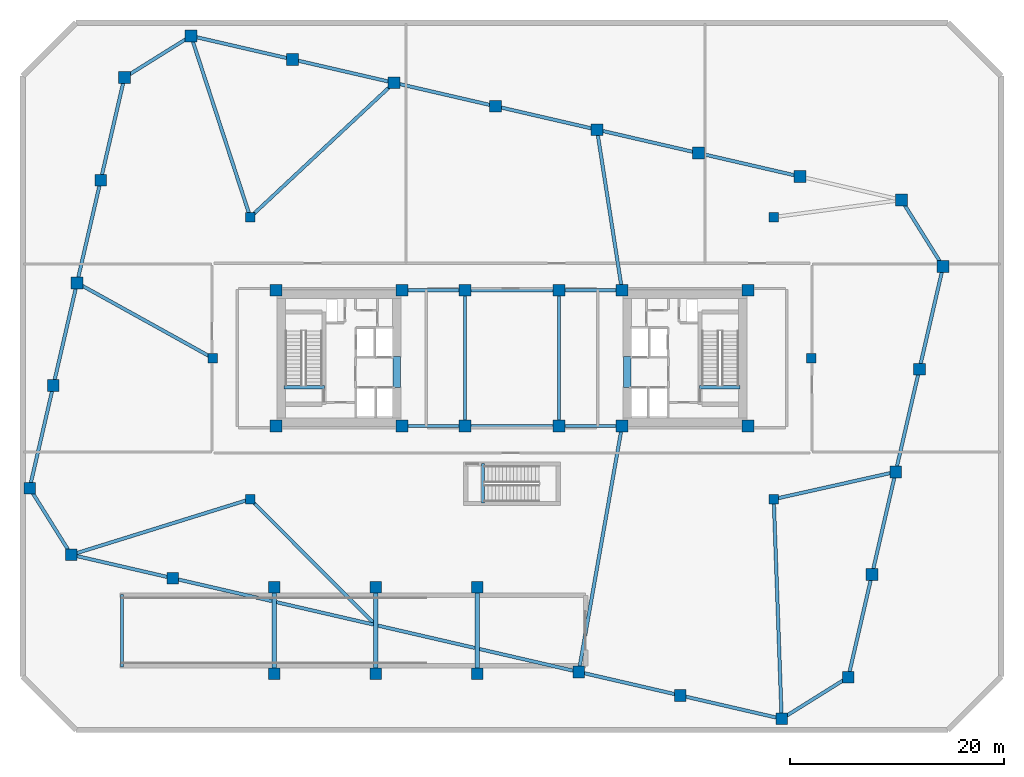
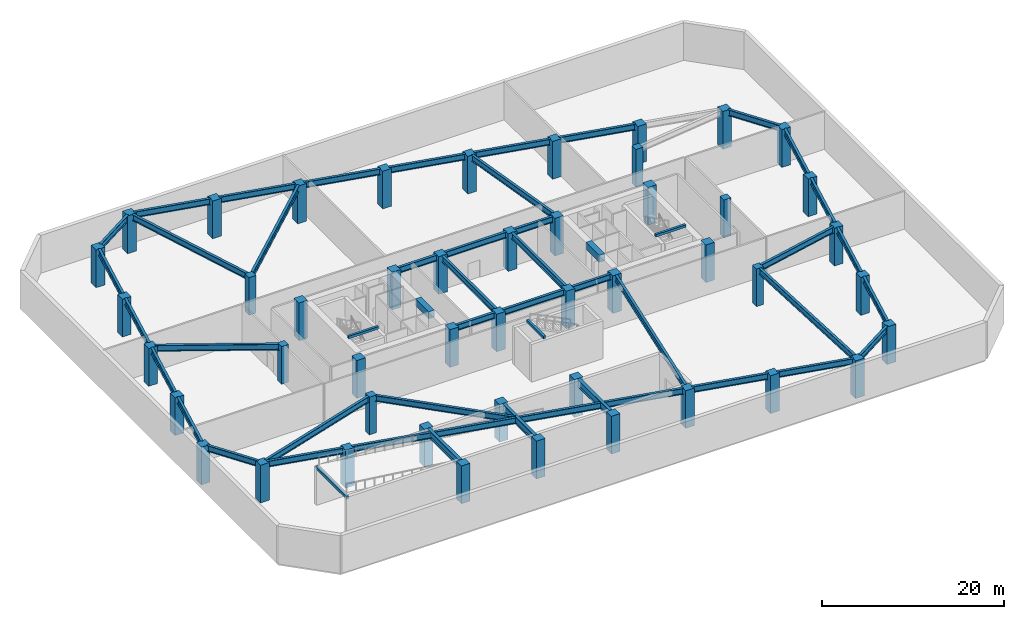
# One storey, part 1 of 11: 51 beams, 47 columns.
"""IFC4 building model written with IfcOpenShell, lengths in metres."""

from ifc_helpers import new_model, si_unit, direction, frame, origin, origin_2d, place, context, subcontext, project, spatial, rectangle, i_section, extrude, material, material_profile, profile_set, type_object, element, save


model = new_model("IFC4")

# Units and contexts
model_context = context("Model", 3, precision=1e-05, world=origin(), true_north=direction((0.0, 1.0)))
body_context = subcontext(model_context, "Body", "Model", "MODEL_VIEW")
ifc_project = project(units=[si_unit("LENGTHUNIT", "METRE"), si_unit("AREAUNIT", "SQUARE_METRE"), si_unit("VOLUMEUNIT", "CUBIC_METRE"), si_unit("PLANEANGLEUNIT", "RADIAN"), si_unit("MASSUNIT", "GRAM", prefix="KILO")], contexts=[model_context])

# Site, building, storey
site_placement = place(None, origin())
site = spatial("IfcSite", under=ifc_project, at=site_placement, CompositionType="ELEMENT")
building_placement = place(site_placement, origin())
building = spatial("IfcBuilding", under=site, at=building_placement, Name="Tavrogorsk Clinical Tower", CompositionType="ELEMENT")
storey_placement = place(building_placement, frame((0.0, 0.0, -5.39990234375)))
storey = spatial("IfcBuildingStorey", under=building, at=storey_placement, Name="B1", CompositionType="ELEMENT", Elevation=-5.39990234375)

# Columns
ifc_material_1 = material(Name="Concrete B80", Category="concrete")
ifc_material_profile_1 = material_profile(ifc_material_1, rectangle(XDim=1.10009765625, YDim=1.10009765625, at=origin_2d()), Name="RC-COL-1100x1100")
ifc_profile_set_1 = profile_set([ifc_material_profile_1], Name="Concrete B80")
column_type_1 = type_object("IfcColumnType", Name="BasementCol_RC1100", PredefinedType="COLUMN", material=ifc_profile_set_1)
for number, where, z_axis, x_axis, name in (
    (1, (-22.10009765625, -6.35009765625, 0.0), (0.0, 0.0, 1.0), (1.0, 0.0, 0.0), "B1 Mega Column MC-W1"),
    (2, (-22.10009765625, 6.35009765625, 0.0), (0.0, 0.0, 1.0), (1.0, 0.0, 0.0), "B1 Mega Column MC-W2"),
    (3, (-10.300048828125, -6.35009765625, 0.0), (0.0, 0.0, 1.0), (1.0, 0.0, 0.0), "B1 Mega Column MC-W3"),
    (4, (-10.300048828125, 6.35009765625, 0.0), (0.0, 0.0, 1.0), (1.0, 0.0, 0.0), "B1 Mega Column MC-W4"),
    (5, (10.300048828125, -6.35009765625, 0.0), (0.0, 0.0, 1.0), (1.0, 0.0, 0.0), "B1 Mega Column MC-E1"),
    (6, (10.300048828125, 6.35009765625, 0.0), (0.0, 0.0, 1.0), (1.0, 0.0, 0.0), "B1 Mega Column MC-E2"),
    (7, (22.10009765625, -6.35009765625, 0.0), (0.0, 0.0, 1.0), (1.0, 0.0, 0.0), "B1 Mega Column MC-E3"),
    (8, (22.10009765625, 6.35009765625, 0.0), (0.0, 0.0, 1.0), (1.0, 0.0, 0.0), "B1 Mega Column MC-E4"),
    (9, (-4.39990234375, -6.35009765625, 0.0), (0.0, 0.0, 1.0), (1.0, 0.0, 0.0), "B1 Mega Column MC-C1"),
    (10, (4.39990234375, -6.35009765625, 0.0), (0.0, 0.0, 1.0), (1.0, 0.0, 0.0), "B1 Mega Column MC-C2"),
    (11, (-4.39990234375, 6.35009765625, 0.0), (0.0, 0.0, 1.0), (1.0, 0.0, 0.0), "B1 Mega Column MC-C3"),
    (12, (4.39990234375, 6.35009765625, 0.0), (0.0, 0.0, 1.0), (1.0, 0.0, 0.0), "B1 Mega Column MC-C4"),
    (13, (-41.251220703125, -18.406005859375, 0.0), (0.0, 0.0, 1.0), (1.0, 0.0, 0.0), "B1 Open Pilotis Stilt S1"),
    (14, (-31.75244140625, -20.598876953125, 0.0), (0.0, 0.0, 1.0), (1.0, 0.0, 0.0), "B1 Open Pilotis Stilt S2"),
    (15, (-22.25390625, -29.550048828125, 0.0), (0.0, 0.0, 1.0), (1.0, 0.0, 0.0), "B1 Ramp Portal Stilt S3-S"),
    (16, (-22.25390625, -21.449951171875, 0.0), (0.0, 0.0, 1.0), (1.0, 0.0, 0.0), "B1 Ramp Portal Stilt S3-N"),
    (17, (-12.755126953125, -29.550048828125, 0.0), (0.0, 0.0, 1.0), (1.0, 0.0, 0.0), "B1 Ramp Portal Stilt S4-S"),
    (18, (-12.755126953125, -21.449951171875, 0.0), (0.0, 0.0, 1.0), (1.0, 0.0, 0.0), "B1 Ramp Portal Stilt S4-N"),
    (19, (-3.25634765625, -29.550048828125, 0.0), (0.0, 0.0, 1.0), (1.0, 0.0, 0.0), "B1 Ramp Portal Stilt S5-S"),
    (20, (-3.25634765625, -21.449951171875, 0.0), (0.0, 0.0, 1.0), (1.0, 0.0, 0.0), "B1 Ramp Portal Stilt S5-N"),
    (21, (6.2421875, -29.37060546875, 0.0), (0.0, 0.0, 1.0), (1.0, 0.0, 0.0), "B1 Open Pilotis Stilt S6"),
    (22, (15.740966796875, -31.563720703125, 0.0), (0.0, 0.0, 1.0), (1.0, 0.0, 0.0), "B1 Open Pilotis Stilt S7"),
    (23, (25.23974609375, -33.756591796875, 0.0), (0.0, 0.0, 1.0), (1.0, 0.0, 0.0), "B1 Open Pilotis Stilt S8"),
    (24, (36.451416015625, 14.805908203125, 0.0), (0.0, 0.0, 1.0), (1.0, 0.0, 0.0), "B1 Open Pilotis Stilt N1"),
    (25, (26.952392578125, 16.998779296875, 0.0), (0.0, 0.0, 1.0), (1.0, 0.0, 0.0), "B1 Open Pilotis Stilt N2"),
    (26, (17.453857421875, 19.19189453125, 0.0), (0.0, 0.0, 1.0), (1.0, 0.0, 0.0), "B1 Open Pilotis Stilt N3"),
    (27, (7.955078125, 21.384765625, 0.0), (0.0, 0.0, 1.0), (1.0, 0.0, 0.0), "B1 Open Pilotis Stilt N4"),
    (28, (-1.543701171875, 23.577880859375, 0.0), (0.0, 0.0, 1.0), (1.0, 0.0, 0.0), "B1 Open Pilotis Stilt N5"),
    (29, (-11.042236328125, 25.770751953125, 0.0), (0.0, 0.0, 1.0), (1.0, 0.0, 0.0), "B1 Open Pilotis Stilt N6"),
    (30, (-20.541015625, 27.963623046875, 0.0), (0.0, 0.0, 1.0), (1.0, 0.0, 0.0), "B1 Open Pilotis Stilt N7"),
    (31, (-30.039794921875, 30.156494140625, 0.0), (0.0, 0.0, 1.0), (1.0, 0.0, 0.0), "B1 Open Pilotis Stilt N8"),
    (32, (31.476318359375, -29.859619140625, 0.0), (0.0, 0.0, 1.0), (1.0, 0.0, 0.0), "B1 Open Pilotis Stilt E1"),
    (33, (33.694091796875, -20.25244140625, 0.0), (0.0, 0.0, 1.0), (1.0, 0.0, 0.0), "B1 Open Pilotis Stilt E2"),
    (34, (35.912109375, -10.64501953125, 0.0), (0.0, 0.0, 1.0), (1.0, 0.0, 0.0), "B1 Open Pilotis Stilt E3"),
    (35, (38.130126953125, -1.037841796875, 0.0), (0.0, 0.0, 1.0), (1.0, 0.0, 0.0), "B1 Open Pilotis Stilt E4"),
    (36, (40.348388671875, 8.569580078125, 0.0), (0.0, 0.0, 1.0), (1.0, 0.0, 0.0), "B1 Open Pilotis Stilt E5"),
    (37, (-36.276123046875, 26.259765625, 0.0), (0.0, 0.0, 1.0), (1.0, 0.0, 0.0), "B1 Open Pilotis Stilt W1"),
    (38, (-38.494140625, 16.65234375, 0.0), (0.0, 0.0, 1.0), (1.0, 0.0, 0.0), "B1 Open Pilotis Stilt W2"),
    (39, (-40.712158203125, 7.045166015625, 0.0), (0.0, 0.0, 1.0), (1.0, 0.0, 0.0), "B1 Open Pilotis Stilt W3"),
    (40, (-42.93017578125, -2.562255859375, 0.0), (0.0, 0.0, 1.0), (1.0, 0.0, 0.0), "B1 Open Pilotis Stilt W4"),
    (41, (-45.148193359375, -12.16943359375, 0.0), (0.0, 0.0, 1.0), (1.0, 0.0, 0.0), "B1 Open Pilotis Stilt W5"),
):
    element("IfcColumn", number, at=place(storey_placement, frame(where, z_axis=z_axis, x_axis=x_axis)), inside=storey, type_object=column_type_1, Name=name, PredefinedType="COLUMN", context=body_context, shape_type="SweptSolid", body=[
        extrude(rectangle(XDim=1.10009765625, YDim=1.10009765625, at=origin_2d()), origin(), (0.0, 0.0, 1.0), 5.0498046875),
    ])
ifc_material_2 = material(Name="Concrete B80", Category="concrete")
ifc_material_profile_2 = material_profile(ifc_material_2, rectangle(XDim=0.89990234375, YDim=0.89990234375, at=origin_2d()), Name="RC-COL-900x900")
ifc_profile_set_2 = profile_set([ifc_material_profile_2], Name="Concrete B80")
column_type_2 = type_object("IfcColumnType", Name="BasementCol_RC900", PredefinedType="COLUMN", material=ifc_profile_set_2)
for number, where, z_axis, x_axis, name in (
    (42, (-24.5, -13.199951171875, 0.0), (0.0, 0.0, 1.0), (1.0, 0.0, 0.0), "B1 Spine Pilotis Column MC-P1"),
    (43, (24.5, -13.199951171875, 0.0), (0.0, 0.0, 1.0), (1.0, 0.0, 0.0), "B1 Spine Pilotis Column MC-P2"),
    (44, (-24.5, 13.199951171875, 0.0), (0.0, 0.0, 1.0), (1.0, 0.0, 0.0), "B1 Spine Pilotis Column MC-P3"),
    (45, (24.5, 13.199951171875, 0.0), (0.0, 0.0, 1.0), (1.0, 0.0, 0.0), "B1 Spine Pilotis Column MC-P4"),
    (46, (-28.0, 0.0, 0.0), (0.0, 0.0, 1.0), (1.0, 0.0, 0.0), "B1 Spine Pilotis Column MC-P5"),
    (47, (28.0, 0.0, 0.0), (0.0, 0.0, 1.0), (1.0, 0.0, 0.0), "B1 Spine Pilotis Column MC-P6"),
):
    element("IfcColumn", number, at=place(storey_placement, frame(where, z_axis=z_axis, x_axis=x_axis)), inside=storey, type_object=column_type_2, Name=name, PredefinedType="COLUMN", context=body_context, shape_type="SweptSolid", body=[
        extrude(rectangle(XDim=0.89990234375, YDim=0.89990234375, at=origin_2d()), origin(), (0.0, 0.0, 1.0), 5.0498046875),
    ])

# Beams
ifc_material_3 = material(Name="Concrete B80", Category="concrete")
ifc_material_profile_3 = material_profile(ifc_material_3, rectangle(XDim=0.699951171875, YDim=0.949951171875, at=origin_2d()), Name="RC-CB-700x950")
ifc_profile_set_3 = profile_set([ifc_material_profile_3], Name="Concrete B80")
beam_type_1 = type_object("IfcBeamType", Name="CouplingBeam_RC700x950", PredefinedType="LINTEL", material=ifc_profile_set_3)
for number, where, z_axis, x_axis, name in (
    (48, (-10.800048828125, -2.75, 4.574951171875), (0.0, 1.0, 0.0), (-1.0, 0.0, 0.0), "B1 Core West Coupling Beam"),
    (49, (10.800048828125, -2.75, 4.574951171875), (0.0, 1.0, 0.0), (-1.0, 0.0, 0.0), "B1 Core East Coupling Beam"),
):
    element("IfcBeam", number, at=place(storey_placement, frame(where, z_axis=z_axis, x_axis=x_axis)), inside=storey, type_object=beam_type_1, Name=name, PredefinedType="LINTEL", context=body_context, shape_type="SweptSolid", body=[
        extrude(rectangle(XDim=0.699951171875, YDim=0.949951171875, at=origin_2d()), origin(), (0.0, 0.0, 1.0), 2.89990234375),
    ])
ifc_material_4 = material(Name="Structural steel S390", Category="steel")
ifc_material_profile_4 = material_profile(ifc_material_4, i_section(OverallWidth=0.320068359375, OverallDepth=0.800048828125, WebThickness=0.02001953125, FlangeThickness=0.033935546875, at=origin_2d()), Name="B-800x320x20x34")
ifc_profile_set_4 = profile_set([ifc_material_profile_4], Name="Structural steel S390")
beam_type_2 = type_object("IfcBeamType", Name="PrimaryGirder_B800", PredefinedType="USERDEFINED", material=ifc_profile_set_4)
for number, where, z_axis, x_axis, name in (
    (50, (-9.800048828125, -6.35009765625, 4.64990234375), (1.0, 0.0, 0.0), (0.0, 1.0, 0.0), "B1 Primary Spine Girder MG-01"),
    (51, (-9.800048828125, 6.35009765625, 4.64990234375), (1.0, 0.0, 0.0), (0.0, 1.0, 0.0), "B1 Primary Spine Girder MG-02"),
):
    element("IfcBeam", number, at=place(storey_placement, frame(where, z_axis=z_axis, x_axis=x_axis)), inside=storey, type_object=beam_type_2, Name=name, ObjectType="GIRDER", PredefinedType="USERDEFINED", context=body_context, shape_type="SweptSolid", body=[
        extrude(i_section(OverallWidth=0.320068359375, OverallDepth=0.800048828125, WebThickness=0.02001953125, FlangeThickness=0.033935546875, at=origin_2d()), origin(), (0.0, 0.0, 1.0), 4.900146484375),
    ])
for number, where, z_axis, x_axis, name in (
    (52, (-3.89990234375, -6.35009765625, 4.64990234375), (1.0, 0.0, 0.0), (0.0, 1.0, 0.0), "B1 Primary Spine Girder MG-03"),
    (53, (-3.89990234375, 6.35009765625, 4.64990234375), (1.0, 0.0, 0.0), (0.0, 1.0, 0.0), "B1 Primary Spine Girder MG-04"),
):
    element("IfcBeam", number, at=place(storey_placement, frame(where, z_axis=z_axis, x_axis=x_axis)), inside=storey, type_object=beam_type_2, Name=name, ObjectType="GIRDER", PredefinedType="USERDEFINED", context=body_context, shape_type="SweptSolid", body=[
        extrude(i_section(OverallWidth=0.320068359375, OverallDepth=0.800048828125, WebThickness=0.02001953125, FlangeThickness=0.033935546875, at=origin_2d()), origin(), (0.0, 0.0, 1.0), 7.7998046875),
    ])
for number, where, z_axis, x_axis, name in (
    (54, (4.89990234375, -6.35009765625, 4.64990234375), (1.0, 0.0, 0.0), (0.0, 1.0, 0.0), "B1 Primary Spine Girder MG-05"),
    (55, (4.89990234375, 6.35009765625, 4.64990234375), (1.0, 0.0, 0.0), (0.0, 1.0, 0.0), "B1 Primary Spine Girder MG-06"),
):
    element("IfcBeam", number, at=place(storey_placement, frame(where, z_axis=z_axis, x_axis=x_axis)), inside=storey, type_object=beam_type_2, Name=name, ObjectType="GIRDER", PredefinedType="USERDEFINED", context=body_context, shape_type="SweptSolid", body=[
        extrude(i_section(OverallWidth=0.320068359375, OverallDepth=0.800048828125, WebThickness=0.02001953125, FlangeThickness=0.033935546875, at=origin_2d()), origin(), (0.0, 0.0, 1.0), 4.900146484375),
    ])
for number, where, z_axis, x_axis, name in (
    (56, (-4.39990234375, -5.85009765625, 4.64990234375), (0.0, 1.0, 0.0), (-1.0, 0.0, 0.0), "B1 Primary Spine Girder MG-07"),
    (57, (4.39990234375, -5.85009765625, 4.64990234375), (0.0, 1.0, 0.0), (-1.0, 0.0, 0.0), "B1 Primary Spine Girder MG-08"),
):
    element("IfcBeam", number, at=place(storey_placement, frame(where, z_axis=z_axis, x_axis=x_axis)), inside=storey, type_object=beam_type_2, Name=name, ObjectType="GIRDER", PredefinedType="USERDEFINED", context=body_context, shape_type="SweptSolid", body=[
        extrude(i_section(OverallWidth=0.320068359375, OverallDepth=0.800048828125, WebThickness=0.02001953125, FlangeThickness=0.033935546875, at=origin_2d()), origin(), (0.0, 0.0, 1.0), 11.7001953125),
    ])
beam_1_placement = place(storey_placement, frame((-40.78369140625, -18.513916015625, 4.64990234375), z_axis=(0.974369654842, -0.224952829995, 0.0), x_axis=(0.224952829995, 0.974369654842, 0.0)))
element("IfcBeam", 58, at=beam_1_placement, inside=storey, type_object=beam_type_2, Name="B1 Perimeter Stilt Ring Girder S1-S2", ObjectType="GIRDER", PredefinedType="USERDEFINED", context=body_context, shape_type="SweptSolid", body=[
    extrude(i_section(OverallWidth=0.320068359375, OverallDepth=0.800048828125, WebThickness=0.02001953125, FlangeThickness=0.033935546875, at=origin_2d()), origin(), (0.0, 0.0, 1.0), 8.788818359375),
])
beam_2_placement = place(storey_placement, frame((-31.284912109375, -20.706787109375, 4.64990234375), z_axis=(0.974367570146, -0.224961859542, 0.0), x_axis=(0.224961859542, 0.974367570146, 0.0)))
element("IfcBeam", 59, at=beam_2_placement, inside=storey, type_object=beam_type_2, Name="B1 Perimeter Stilt Ring Girder S2-S3", ObjectType="GIRDER", PredefinedType="USERDEFINED", context=body_context, shape_type="SweptSolid", body=[
    extrude(i_section(OverallWidth=0.320068359375, OverallDepth=0.800048828125, WebThickness=0.02001953125, FlangeThickness=0.033935546875, at=origin_2d()), origin(), (0.0, 0.0, 1.0), 9.05859375),
])
for number, where, z_axis, x_axis, name in (
    (60, (-22.04931640625, -22.839111328125, 4.64990234375), (0.974372666845, -0.224939783286, 0.0), (0.224939783286, 0.974372666845, 0.0), "B1 Perimeter Stilt Ring Girder S3-S4"),
    (61, (-12.550537109375, -25.031982421875, 4.64990234375), (0.974366930528, -0.224964629873, 0.0), (0.224964629873, 0.974366930528, 0.0), "B1 Perimeter Stilt Ring Girder S4-S5"),
):
    element("IfcBeam", number, at=place(storey_placement, frame(where, z_axis=z_axis, x_axis=x_axis)), inside=storey, type_object=beam_type_2, Name=name, ObjectType="GIRDER", PredefinedType="USERDEFINED", context=body_context, shape_type="SweptSolid", body=[
        extrude(i_section(OverallWidth=0.320068359375, OverallDepth=0.800048828125, WebThickness=0.02001953125, FlangeThickness=0.033935546875, at=origin_2d()), origin(), (0.0, 0.0, 1.0), 9.32861328125),
    ])
beam_3_placement = place(storey_placement, frame((-3.0517578125, -27.22509765625, 4.64990234375), z_axis=(0.974373477433, -0.224936272029, 0.0), x_axis=(0.224936272029, 0.974373477433, 0.0)))
element("IfcBeam", 62, at=beam_3_placement, inside=storey, type_object=beam_type_2, Name="B1 Perimeter Stilt Ring Girder S5-S6", ObjectType="GIRDER", PredefinedType="USERDEFINED", context=body_context, shape_type="SweptSolid", body=[
    extrude(i_section(OverallWidth=0.320068359375, OverallDepth=0.800048828125, WebThickness=0.02001953125, FlangeThickness=0.033935546875, at=origin_2d()), origin(), (0.0, 0.0, 1.0), 9.05859375),
])
for number, where, z_axis, x_axis, name in (
    (63, (6.7099609375, -29.478759765625, 4.64990234375), (0.974368249072, -0.224958918916, 0.0), (0.224958918916, 0.974368249072, 0.0), "B1 Perimeter Stilt Ring Girder S6-S7"),
    (64, (16.208740234375, -31.671630859375, 4.64990234375), (0.974368249072, -0.224958918916, 0.0), (0.224958918916, 0.974368249072, 0.0), "B1 Perimeter Stilt Ring Girder S7-S8"),
):
    element("IfcBeam", number, at=place(storey_placement, frame(where, z_axis=z_axis, x_axis=x_axis)), inside=storey, type_object=beam_type_2, Name=name, ObjectType="GIRDER", PredefinedType="USERDEFINED", context=body_context, shape_type="SweptSolid", body=[
        extrude(i_section(OverallWidth=0.320068359375, OverallDepth=0.800048828125, WebThickness=0.02001953125, FlangeThickness=0.033935546875, at=origin_2d()), origin(), (0.0, 0.0, 1.0), 8.78857421875),
    ])
beam_4_placement = place(storey_placement, frame((25.646728515625, -33.502197265625, 4.64990234375), z_axis=(0.848054072865, 0.52990969938, 0.0), x_axis=(-0.52990969938, 0.848054072865, 0.0)))
element("IfcBeam", 65, at=beam_4_placement, inside=storey, type_object=beam_type_2, Name="B1 Perimeter Stilt Ring Girder S8-E1", ObjectType="GIRDER", PredefinedType="USERDEFINED", context=body_context, shape_type="SweptSolid", body=[
    extrude(i_section(OverallWidth=0.320068359375, OverallDepth=0.800048828125, WebThickness=0.02001953125, FlangeThickness=0.033935546875, at=origin_2d()), origin(), (0.0, 0.0, 1.0), 6.393798828125),
])
for number, where, z_axis, x_axis, name in (
    (66, (31.584228515625, -29.39208984375, 4.64990234375), (0.224939643383, 0.974372699143, 0.0), (-0.974372699143, 0.224939643383, 0.0), "B1 Perimeter Stilt Ring Girder E1-E2"),
    (67, (33.80224609375, -19.78466796875, 4.64990234375), (0.224939643383, 0.974372699143, 0.0), (-0.974372699143, 0.224939643383, 0.0), "B1 Perimeter Stilt Ring Girder E2-E3"),
    (68, (36.020263671875, -10.177490234375, 4.64990234375), (0.224939643383, 0.974372699143, 0.0), (-0.974372699143, 0.224939643383, 0.0), "B1 Perimeter Stilt Ring Girder E3-E4"),
    (69, (38.23828125, -0.570068359375, 4.64990234375), (0.224939643383, 0.974372699143, 0.0), (-0.974372699143, 0.224939643383, 0.0), "B1 Perimeter Stilt Ring Girder E4-E5"),
):
    element("IfcBeam", number, at=place(storey_placement, frame(where, z_axis=z_axis, x_axis=x_axis)), inside=storey, type_object=beam_type_2, Name=name, ObjectType="GIRDER", PredefinedType="USERDEFINED", context=body_context, shape_type="SweptSolid", body=[
        extrude(i_section(OverallWidth=0.320068359375, OverallDepth=0.800048828125, WebThickness=0.02001953125, FlangeThickness=0.033935546875, at=origin_2d()), origin(), (0.0, 0.0, 1.0), 8.89990234375),
    ])
beam_5_placement = place(storey_placement, frame((40.093994140625, 8.9765625, 4.64990234375), z_axis=(-0.529937159908, 0.848036913435, 0.0), x_axis=(-0.848036913435, -0.529937159908, 0.0)))
element("IfcBeam", 70, at=beam_5_placement, inside=storey, type_object=beam_type_2, Name="B1 Perimeter Stilt Ring Girder E5-N1", ObjectType="GIRDER", PredefinedType="USERDEFINED", context=body_context, shape_type="SweptSolid", body=[
    extrude(i_section(OverallWidth=0.320068359375, OverallDepth=0.800048828125, WebThickness=0.02001953125, FlangeThickness=0.033935546875, at=origin_2d()), origin(), (0.0, 0.0, 1.0), 6.39404296875),
])
for number, where, z_axis, x_axis, name in (
    (71, (26.48486328125, 17.10693359375, 4.64990234375), (-0.974368249072, 0.224958918916, 0.0), (-0.224958918916, -0.974368249072, 0.0), "B1 Perimeter Stilt Ring Girder N2-N3"),
    (72, (16.986083984375, 19.2998046875, 4.64990234375), (-0.974368249072, 0.224958918916, 0.0), (-0.224958918916, -0.974368249072, 0.0), "B1 Perimeter Stilt Ring Girder N3-N4"),
):
    element("IfcBeam", number, at=place(storey_placement, frame(where, z_axis=z_axis, x_axis=x_axis)), inside=storey, type_object=beam_type_2, Name=name, ObjectType="GIRDER", PredefinedType="USERDEFINED", context=body_context, shape_type="SweptSolid", body=[
        extrude(i_section(OverallWidth=0.320068359375, OverallDepth=0.800048828125, WebThickness=0.02001953125, FlangeThickness=0.033935546875, at=origin_2d()), origin(), (0.0, 0.0, 1.0), 8.78857421875),
    ])
for number, where, z_axis, x_axis, name in (
    (73, (7.487548828125, 21.49267578125, 4.64990234375), (-0.974369654842, 0.224952829995, 0.0), (-0.224952829995, -0.974369654842, 0.0), "B1 Perimeter Stilt Ring Girder N4-N5"),
    (74, (-2.01123046875, 23.685791015625, 4.64990234375), (-0.974369654842, 0.224952829995, 0.0), (-0.224952829995, -0.974369654842, 0.0), "B1 Perimeter Stilt Ring Girder N5-N6"),
):
    element("IfcBeam", number, at=place(storey_placement, frame(where, z_axis=z_axis, x_axis=x_axis)), inside=storey, type_object=beam_type_2, Name=name, ObjectType="GIRDER", PredefinedType="USERDEFINED", context=body_context, shape_type="SweptSolid", body=[
        extrude(i_section(OverallWidth=0.320068359375, OverallDepth=0.800048828125, WebThickness=0.02001953125, FlangeThickness=0.033935546875, at=origin_2d()), origin(), (0.0, 0.0, 1.0), 8.788818359375),
    ])
beam_6_placement = place(storey_placement, frame((-11.510009765625, 25.878662109375, 4.64990234375), z_axis=(-0.974368249072, 0.224958918916, 0.0), x_axis=(-0.224958918916, -0.974368249072, 0.0)))
element("IfcBeam", 75, at=beam_6_placement, inside=storey, type_object=beam_type_2, Name="B1 Perimeter Stilt Ring Girder N6-N7", ObjectType="GIRDER", PredefinedType="USERDEFINED", context=body_context, shape_type="SweptSolid", body=[
    extrude(i_section(OverallWidth=0.320068359375, OverallDepth=0.800048828125, WebThickness=0.02001953125, FlangeThickness=0.033935546875, at=origin_2d()), origin(), (0.0, 0.0, 1.0), 8.78857421875),
])
beam_7_placement = place(storey_placement, frame((-21.0087890625, 28.07177734375, 4.64990234375), z_axis=(-0.974374337835, 0.224932544931, 0.0), x_axis=(-0.224932544931, -0.974374337835, 0.0)))
element("IfcBeam", 76, at=beam_7_placement, inside=storey, type_object=beam_type_2, Name="B1 Perimeter Stilt Ring Girder N7-N8", ObjectType="GIRDER", PredefinedType="USERDEFINED", context=body_context, shape_type="SweptSolid", body=[
    extrude(i_section(OverallWidth=0.320068359375, OverallDepth=0.800048828125, WebThickness=0.02001953125, FlangeThickness=0.033935546875, at=origin_2d()), origin(), (0.0, 0.0, 1.0), 8.788330078125),
])
beam_8_placement = place(storey_placement, frame((-30.44677734375, 29.90234375, 4.64990234375), z_axis=(-0.848054072865, -0.52990969938, 0.0), x_axis=(0.52990969938, -0.848054072865, 0.0)))
element("IfcBeam", 77, at=beam_8_placement, inside=storey, type_object=beam_type_2, Name="B1 Perimeter Stilt Ring Girder N8-W1", ObjectType="GIRDER", PredefinedType="USERDEFINED", context=body_context, shape_type="SweptSolid", body=[
    extrude(i_section(OverallWidth=0.320068359375, OverallDepth=0.800048828125, WebThickness=0.02001953125, FlangeThickness=0.033935546875, at=origin_2d()), origin(), (0.0, 0.0, 1.0), 6.393798828125),
])
beam_9_placement = place(storey_placement, frame((-36.38427734375, 25.7919921875, 4.64990234375), z_axis=(-0.224939643383, -0.974372699143, 0.0), x_axis=(0.974372699143, -0.224939643383, 0.0)))
element("IfcBeam", 78, at=beam_9_placement, inside=storey, type_object=beam_type_2, Name="B1 Perimeter Stilt Ring Girder W1-W2", ObjectType="GIRDER", PredefinedType="USERDEFINED", context=body_context, shape_type="SweptSolid", body=[
    extrude(i_section(OverallWidth=0.320068359375, OverallDepth=0.800048828125, WebThickness=0.02001953125, FlangeThickness=0.033935546875, at=origin_2d()), origin(), (0.0, 0.0, 1.0), 8.89990234375),
])
beam_10_placement = place(storey_placement, frame((-38.602294921875, 16.184814453125, 4.64990234375), z_axis=(-0.224933631203, -0.97437408707, 0.0), x_axis=(0.97437408707, -0.224933631203, 0.0)))
element("IfcBeam", 79, at=beam_10_placement, inside=storey, type_object=beam_type_2, Name="B1 Perimeter Stilt Ring Girder W2-W3", ObjectType="GIRDER", PredefinedType="USERDEFINED", context=body_context, shape_type="SweptSolid", body=[
    extrude(i_section(OverallWidth=0.320068359375, OverallDepth=0.800048828125, WebThickness=0.02001953125, FlangeThickness=0.033935546875, at=origin_2d()), origin(), (0.0, 0.0, 1.0), 8.900146484375),
])
beam_11_placement = place(storey_placement, frame((-40.820068359375, 6.577392578125, 4.64990234375), z_axis=(-0.224965686823, -0.974366686496, 0.0), x_axis=(0.974366686496, -0.224965686823, 0.0)))
element("IfcBeam", 80, at=beam_11_placement, inside=storey, type_object=beam_type_2, Name="B1 Perimeter Stilt Ring Girder W3-W4", ObjectType="GIRDER", PredefinedType="USERDEFINED", context=body_context, shape_type="SweptSolid", body=[
    extrude(i_section(OverallWidth=0.320068359375, OverallDepth=0.800048828125, WebThickness=0.02001953125, FlangeThickness=0.033935546875, at=origin_2d()), origin(), (0.0, 0.0, 1.0), 8.89990234375),
])
beam_12_placement = place(storey_placement, frame((-43.0380859375, -3.02978515625, 4.64990234375), z_axis=(-0.224959674021, -0.974368074736, 0.0), x_axis=(0.974368074736, -0.224959674021, 0.0)))
element("IfcBeam", 81, at=beam_12_placement, inside=storey, type_object=beam_type_2, Name="B1 Perimeter Stilt Ring Girder W4-W5", ObjectType="GIRDER", PredefinedType="USERDEFINED", context=body_context, shape_type="SweptSolid", body=[
    extrude(i_section(OverallWidth=0.320068359375, OverallDepth=0.800048828125, WebThickness=0.02001953125, FlangeThickness=0.033935546875, at=origin_2d()), origin(), (0.0, 0.0, 1.0), 8.900146484375),
])
beam_13_placement = place(storey_placement, frame((-44.89404296875, -12.57666015625, 4.64990234375), z_axis=(0.529937159908, -0.848036913435, 0.0), x_axis=(0.848036913435, 0.529937159908, 0.0)))
element("IfcBeam", 82, at=beam_13_placement, inside=storey, type_object=beam_type_2, Name="B1 Perimeter Stilt Ring Girder W5-S1", ObjectType="GIRDER", PredefinedType="USERDEFINED", context=body_context, shape_type="SweptSolid", body=[
    extrude(i_section(OverallWidth=0.320068359375, OverallDepth=0.800048828125, WebThickness=0.02001953125, FlangeThickness=0.033935546875, at=origin_2d()), origin(), (0.0, 0.0, 1.0), 6.39404296875),
])
beam_14_placement = place(storey_placement, frame((-24.86279296875, -13.312744140625, 4.64990234375), z_axis=(-0.954943913562, -0.296786323726, 0.0), x_axis=(0.296786323726, -0.954943913562, 0.0)))
element("IfcBeam", 83, at=beam_14_placement, inside=storey, type_object=beam_type_2, Name="B1 Radial Podium Girder S1", ObjectType="GIRDER", PredefinedType="USERDEFINED", context=body_context, shape_type="SweptSolid", body=[
    extrude(i_section(OverallWidth=0.320068359375, OverallDepth=0.800048828125, WebThickness=0.02001953125, FlangeThickness=0.033935546875, at=origin_2d()), origin(), (0.0, 0.0, 1.0), 16.681884765625),
])
beam_15_placement = place(storey_placement, frame((-24.231689453125, -13.46923828125, 4.64990234375), z_axis=(0.705903923451, -0.708307596215, 0.0), x_axis=(0.708307596215, 0.705903923451, 0.0)))
element("IfcBeam", 84, at=beam_15_placement, inside=storey, type_object=beam_type_2, Name="B1 Radial Podium Girder S4", ObjectType="GIRDER", PredefinedType="USERDEFINED", context=body_context, shape_type="SweptSolid", body=[
    extrude(i_section(OverallWidth=0.320068359375, OverallDepth=0.800048828125, WebThickness=0.02001953125, FlangeThickness=0.033935546875, at=origin_2d()), origin(), (0.0, 0.0, 1.0), 16.048095703125),
])
beam_16_placement = place(storey_placement, frame((10.213134765625, -6.842529296875, 4.64990234375), z_axis=(-0.173582593917, -0.984819314945, 0.0), x_axis=(0.984819314945, -0.173582593917, 0.0)))
element("IfcBeam", 85, at=beam_16_placement, inside=storey, type_object=beam_type_2, Name="B1 Radial Podium Girder S6", ObjectType="GIRDER", PredefinedType="USERDEFINED", context=body_context, shape_type="SweptSolid", body=[
    extrude(i_section(OverallWidth=0.320068359375, OverallDepth=0.800048828125, WebThickness=0.02001953125, FlangeThickness=0.033935546875, at=origin_2d()), origin(), (0.0, 0.0, 1.0), 22.3955078125),
])
beam_17_placement = place(storey_placement, frame((24.513671875, -13.579833984375, 4.64990234375), z_axis=(0.035958831281, -0.999353272098, 0.0), x_axis=(0.999353272098, 0.035958831281, 0.0)))
element("IfcBeam", 86, at=beam_17_placement, inside=storey, type_object=beam_type_2, Name="B1 Radial Podium Girder S8", ObjectType="GIRDER", PredefinedType="USERDEFINED", context=body_context, shape_type="SweptSolid", body=[
    extrude(i_section(OverallWidth=0.320068359375, OverallDepth=0.800048828125, WebThickness=0.02001953125, FlangeThickness=0.033935546875, at=origin_2d()), origin(), (0.0, 0.0, 1.0), 19.709716796875),
])
beam_18_placement = place(storey_placement, frame((24.870849609375, -13.116943359375, 4.64990234375), z_axis=(0.975846008287, 0.218459534263, 0.0), x_axis=(-0.218459534263, 0.975846008287, 0.0)))
element("IfcBeam", 87, at=beam_18_placement, inside=storey, type_object=beam_type_2, Name="B1 Radial Podium Girder E3", ObjectType="GIRDER", PredefinedType="USERDEFINED", context=body_context, shape_type="SweptSolid", body=[
    extrude(i_section(OverallWidth=0.320068359375, OverallDepth=0.800048828125, WebThickness=0.02001953125, FlangeThickness=0.033935546875, at=origin_2d()), origin(), (0.0, 0.0, 1.0), 10.834716796875),
])
beam_19_placement = place(storey_placement, frame((10.222900390625, 6.843994140625, 4.64990234375), z_axis=(-0.154098048668, 0.988055560885, 0.0), x_axis=(-0.988055560885, -0.154098048668, 0.0)))
element("IfcBeam", 88, at=beam_19_placement, inside=storey, type_object=beam_type_2, Name="B1 Radial Podium Girder N4", ObjectType="GIRDER", PredefinedType="USERDEFINED", context=body_context, shape_type="SweptSolid", body=[
    extrude(i_section(OverallWidth=0.320068359375, OverallDepth=0.800048828125, WebThickness=0.02001953125, FlangeThickness=0.033935546875, at=origin_2d()), origin(), (0.0, 0.0, 1.0), 14.23681640625),
])
beam_20_placement = place(storey_placement, frame((-24.222412109375, 13.45947265625, 4.64990234375), z_axis=(0.730782823784, 0.682610038354, 0.0), x_axis=(-0.682610038354, 0.730782823784, 0.0)))
element("IfcBeam", 89, at=beam_20_placement, inside=storey, type_object=beam_type_2, Name="B1 Radial Podium Girder N6", ObjectType="GIRDER", PredefinedType="USERDEFINED", context=body_context, shape_type="SweptSolid", body=[
    extrude(i_section(OverallWidth=0.320068359375, OverallDepth=0.800048828125, WebThickness=0.02001953125, FlangeThickness=0.033935546875, at=origin_2d()), origin(), (0.0, 0.0, 1.0), 17.5556640625),
])
beam_21_placement = place(storey_placement, frame((-24.617919921875, 13.561279296875, 4.64990234375), z_axis=(-0.310549483613, 0.9505572146, 0.0), x_axis=(-0.9505572146, -0.310549483613, 0.0)))
element("IfcBeam", 90, at=beam_21_placement, inside=storey, type_object=beam_type_2, Name="B1 Radial Podium Girder N8", ObjectType="GIRDER", PredefinedType="USERDEFINED", context=body_context, shape_type="SweptSolid", body=[
    extrude(i_section(OverallWidth=0.320068359375, OverallDepth=0.800048828125, WebThickness=0.02001953125, FlangeThickness=0.033935546875, at=origin_2d()), origin(), (0.0, 0.0, 1.0), 16.978515625),
])
beam_22_placement = place(storey_placement, frame((-28.332275390625, 0.18408203125, 4.64990234375), z_axis=(-0.874657906578, 0.484740700231, 0.0), x_axis=(-0.484740700231, -0.874657906578, 0.0)))
element("IfcBeam", 91, at=beam_22_placement, inside=storey, type_object=beam_type_2, Name="B1 Radial Podium Girder W3", ObjectType="GIRDER", PredefinedType="USERDEFINED", context=body_context, shape_type="SweptSolid", body=[
    extrude(i_section(OverallWidth=0.320068359375, OverallDepth=0.800048828125, WebThickness=0.02001953125, FlangeThickness=0.033935546875, at=origin_2d()), origin(), (0.0, 0.0, 1.0), 13.674072265625),
])
ifc_material_5 = material(Name="Concrete B60", Category="concrete")
ifc_material_profile_5 = material_profile(ifc_material_5, rectangle(XDim=0.300048828125, YDim=0.35009765625, at=origin_2d()), Name="RC-SHB-300x350")
ifc_profile_set_5 = profile_set([ifc_material_profile_5], Name="Concrete B60")
beam_type_3 = type_object("IfcBeamType", Name="StairHeaderBeam_RC300x350", PredefinedType="BEAM", material=ifc_profile_set_5)
for number, where, z_axis, x_axis, name in (
    (92, (-21.35009765625, -2.719970703125, 5.224853515625), (1.0, 0.0, 0.0), (0.0, 1.0, 0.0), "L00 ST-W Landing Header Beam"),
    (93, (17.550048828125, -2.719970703125, 5.224853515625), (1.0, 0.0, 0.0), (0.0, 1.0, 0.0), "L00 ST-E Landing Header Beam"),
):
    element("IfcBeam", number, at=place(storey_placement, frame(where, z_axis=z_axis, x_axis=x_axis)), inside=storey, type_object=beam_type_3, Name=name, PredefinedType="BEAM", context=body_context, shape_type="SweptSolid", body=[
        extrude(rectangle(XDim=0.300048828125, YDim=0.35009765625, at=origin_2d()), origin(), (0.0, 0.0, 1.0), 3.800048828125),
    ])
beam_23_placement = place(storey_placement, frame((-2.719970703125, -13.550048828125, 5.224853515625), z_axis=(0.0, 1.0, 0.0), x_axis=(-1.0, 0.0, 0.0)))
element("IfcBeam", 94, at=beam_23_placement, inside=storey, type_object=beam_type_3, Name="L00 ST-P Landing Header Beam", PredefinedType="BEAM", context=body_context, shape_type="SweptSolid", body=[
    extrude(rectangle(XDim=0.300048828125, YDim=0.35009765625, at=origin_2d()), origin(), (0.0, 0.0, 1.0), 3.699951171875),
])
beam_24_placement = place(storey_placement, frame((-36.5, -28.89990234375, 4.875), z_axis=(0.0, 1.0, 0.0), x_axis=(-1.0, 0.0, 0.0)))
element("IfcBeam", 95, at=beam_24_placement, inside=storey, type_object=beam_type_3, Name="L00 Vehicle Ramp Top Header Beam", PredefinedType="BEAM", context=body_context, shape_type="SweptSolid", body=[
    extrude(rectangle(XDim=0.300048828125, YDim=0.35009765625, at=origin_2d()), origin(), (0.0, 0.0, 1.0), 6.7998046875),
])
ifc_material_6 = material(Name="Structural steel S440", Category="steel")
ifc_material_profile_6 = material_profile(ifc_material_6, i_section(OverallWidth=0.39990234375, OverallDepth=1.0, WebThickness=0.028076171875, FlangeThickness=0.044921875, at=origin_2d()), Name="DK-1000x400x28x45")
ifc_profile_set_6 = profile_set([ifc_material_profile_6], Name="Structural steel S440")
beam_type_4 = type_object("IfcBeamType", Name="TransferGirder_DK1000", PredefinedType="USERDEFINED", material=ifc_profile_set_6)
for number, where, z_axis, x_axis, name in (
    (96, (-22.25390625, -29.070068359375, 4.5498046875), (0.0, 1.0, 0.0), (-1.0, 0.0, 0.0), "B1 Ramp Portal Transfer Girder S3"),
    (97, (-12.755126953125, -29.070068359375, 4.5498046875), (0.0, 1.0, 0.0), (-1.0, 0.0, 0.0), "B1 Ramp Portal Transfer Girder S4"),
    (98, (-3.25634765625, -29.070068359375, 4.5498046875), (0.0, 1.0, 0.0), (-1.0, 0.0, 0.0), "B1 Ramp Portal Transfer Girder S5"),
):
    element("IfcBeam", number, at=place(storey_placement, frame(where, z_axis=z_axis, x_axis=x_axis)), inside=storey, type_object=beam_type_4, Name=name, ObjectType="GIRDER", PredefinedType="USERDEFINED", context=body_context, shape_type="SweptSolid", body=[
        extrude(i_section(OverallWidth=0.39990234375, OverallDepth=1.0, WebThickness=0.028076171875, FlangeThickness=0.044921875, at=origin_2d()), origin(), (0.0, 0.0, 1.0), 7.14013671875),
    ])

save(model, "model.ifc")
